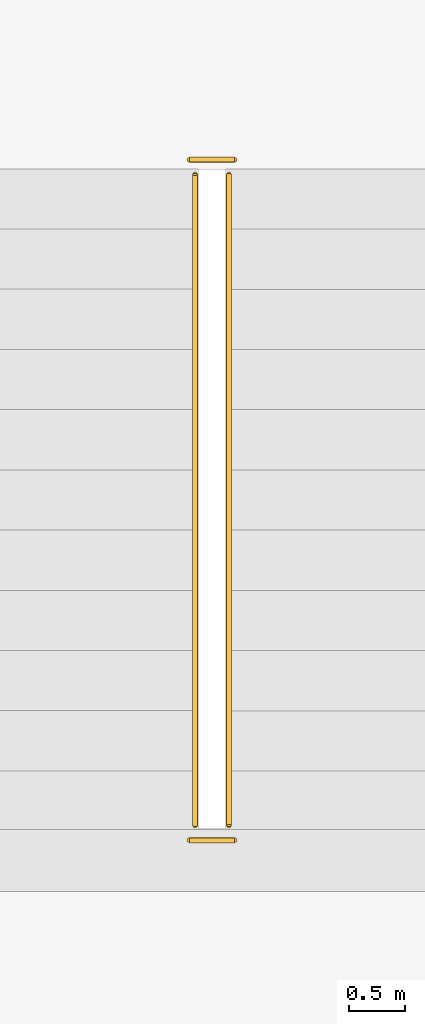
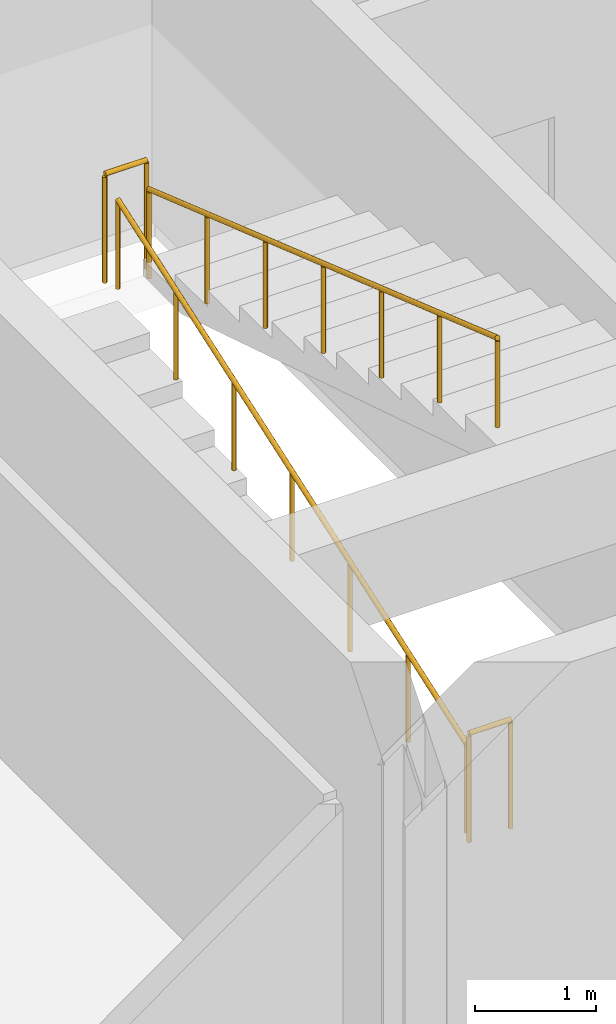
# One storey, part 50 of 52: 4 railings.
"""IFC4 building model written with IfcOpenShell, lengths in metres."""

from ifc_helpers import new_model, si_unit, direction, frame, origin, origin_2d, place, context, subcontext, project, spatial, circle, extrude, material, layer, layer_set, type_object, element, save


model = new_model("IFC4")

# Units and contexts
model_context = context("Model", 3, precision=1e-05, world=origin(), true_north=direction((0.0, 1.0)))
body_context = subcontext(model_context, "Body", "Model", "MODEL_VIEW")
ifc_project = project(units=[si_unit("LENGTHUNIT", "METRE"), si_unit("AREAUNIT", "SQUARE_METRE"), si_unit("VOLUMEUNIT", "CUBIC_METRE"), si_unit("PLANEANGLEUNIT", "RADIAN"), si_unit("MASSUNIT", "GRAM", prefix="KILO")], contexts=[model_context])

# Site, building, storey
site_placement = place(None, origin())
site = spatial("IfcSite", under=ifc_project, at=site_placement, CompositionType="ELEMENT")
building_placement = place(site_placement, origin())
building = spatial("IfcBuilding", under=site, at=building_placement, Name="Girod Span Mobility Hub", CompositionType="ELEMENT")
storey_placement = place(building_placement, frame((0.0, 0.0, 45.60009765625)))
storey = spatial("IfcBuildingStorey", under=building, at=storey_placement, Name="L11", CompositionType="ELEMENT", Elevation=45.60009765625)

# Railings
ifc_material_1 = material(Name="Painted Galvanised Steel", Category="steel")
ifc_layer_1 = layer(ifc_material_1, 0.06494140625)
ifc_layer_set_1 = layer_set([ifc_layer_1], Name="Painted Galvanised Steel")
railing_type_1 = type_object("IfcRailingType", Name="RL-GRD-1120", PredefinedType="GUARDRAIL", material=ifc_layer_set_1)
for number, where, name in (
    (1, (50.10009765625, 65.77001953125, 2.0), "Stair ST-1 Half-Landing Well Guard L11"),
    (2, (50.10009765625, 59.72998046875, 0.0), "Stair ST-1 Landing Well Guard L11"),
):
    element("IfcRailing", number, at=place(storey_placement, frame(where)), inside=storey, type_object=railing_type_1, Name=name, PredefinedType="GUARDRAIL", context=body_context, shape_type="SweptSolid", body=[
        extrude(circle(Radius=0.02392578125, at=origin_2d()), frame((0.0, 0.0, 1.09619140625), z_axis=(1.0, 0.0, 0.0), x_axis=(0.0, 1.0, 0.0)), (0.0, 0.0, 1.0), 0.39990234375),
        extrude(circle(Radius=0.02099609375, at=origin_2d()), origin(), (0.0, 0.0, 1.0), 1.072021484375),
        extrude(circle(Radius=0.02099609375, at=origin_2d()), frame((0.39990234375, 0.0, 0.0)), (0.0, 0.0, 1.0), 1.072021484375),
    ])
ifc_material_2 = material(Name="Painted Galvanised Steel", Category="steel")
ifc_layer_2 = layer(ifc_material_2, 0.050048828125)
ifc_layer_set_2 = layer_set([ifc_layer_2], Name="Painted Galvanised Steel")
railing_type_2 = type_object("IfcRailingType", Name="RL-HR-920", PredefinedType="HANDRAIL", material=ifc_layer_set_2)
railing_1_placement = place(storey_placement, frame((50.14990234375, 59.860107421875, 0.0)))
element("IfcRailing", 3, at=railing_1_placement, inside=storey, type_object=railing_type_2, Name="Stair ST-1 Flight 1 Handrail L11", PredefinedType="HANDRAIL", context=body_context, shape_type="SweptSolid", body=[
    extrude(circle(Radius=0.02392578125, at=origin_2d()), frame((0.0, 0.0, 0.89599609375), z_axis=(0.0, 0.945021187488, 0.327009105681), x_axis=(-1.0, 0.0, 0.0)), (0.0, 0.0, 1.0), 6.115966796875),
    extrude(circle(Radius=0.02099609375, at=origin_2d()), origin(), (0.0, 0.0, 1.0), 0.871826171875),
    extrude(circle(Radius=0.02099609375, at=origin_2d()), frame((0.0, 0.96337890625, 0.333251953125)), (0.0, 0.0, 1.0), 0.871826171875),
    extrude(circle(Radius=0.02099609375, at=origin_2d()), frame((0.0, 1.926513671875, 0.666748046875)), (0.0, 0.0, 1.0), 0.871826171875),
    extrude(circle(Radius=0.02099609375, at=origin_2d()), frame((0.0, 2.889892578125, 1.0)), (0.0, 0.0, 1.0), 0.871826171875),
    extrude(circle(Radius=0.02099609375, at=origin_2d()), frame((0.0, 3.853271484375, 1.333251953125)), (0.0, 0.0, 1.0), 0.871826171875),
    extrude(circle(Radius=0.02099609375, at=origin_2d()), frame((0.0, 4.81640625, 1.666748046875)), (0.0, 0.0, 1.0), 0.871826171875),
    extrude(circle(Radius=0.02099609375, at=origin_2d()), frame((0.0, 5.77978515625, 2.0)), (0.0, 0.0, 1.0), 0.871826171875),
])
railing_2_placement = place(storey_placement, frame((50.449951171875, 65.639892578125, 2.0)))
element("IfcRailing", 4, at=railing_2_placement, inside=storey, type_object=railing_type_2, Name="Stair ST-1 Flight 2 Handrail L11", PredefinedType="HANDRAIL", context=body_context, shape_type="SweptSolid", body=[
    extrude(circle(Radius=0.02392578125, at=origin_2d()), frame((0.0, 0.0, 0.89599609375), z_axis=(0.0, -0.945021187488, 0.327009105681), x_axis=(1.0, 0.0, 0.0)), (0.0, 0.0, 1.0), 6.115966796875),
    extrude(circle(Radius=0.02099609375, at=origin_2d()), origin(), (0.0, 0.0, 1.0), 0.871826171875),
    extrude(circle(Radius=0.02099609375, at=origin_2d()), frame((0.0, -0.96337890625, 0.333251953125)), (0.0, 0.0, 1.0), 0.871826171875),
    extrude(circle(Radius=0.02099609375, at=origin_2d()), frame((0.0, -1.926513671875, 0.666748046875)), (0.0, 0.0, 1.0), 0.871826171875),
    extrude(circle(Radius=0.02099609375, at=origin_2d()), frame((0.0, -2.889892578125, 1.0)), (0.0, 0.0, 1.0), 0.871826171875),
    extrude(circle(Radius=0.02099609375, at=origin_2d()), frame((0.0, -3.853271484375, 1.333251953125)), (0.0, 0.0, 1.0), 0.871826171875),
    extrude(circle(Radius=0.02099609375, at=origin_2d()), frame((0.0, -4.81640625, 1.666748046875)), (0.0, 0.0, 1.0), 0.871826171875),
    extrude(circle(Radius=0.02099609375, at=origin_2d()), frame((0.0, -5.77978515625, 2.0)), (0.0, 0.0, 1.0), 0.871826171875),
])

save(model, "model.ifc")
